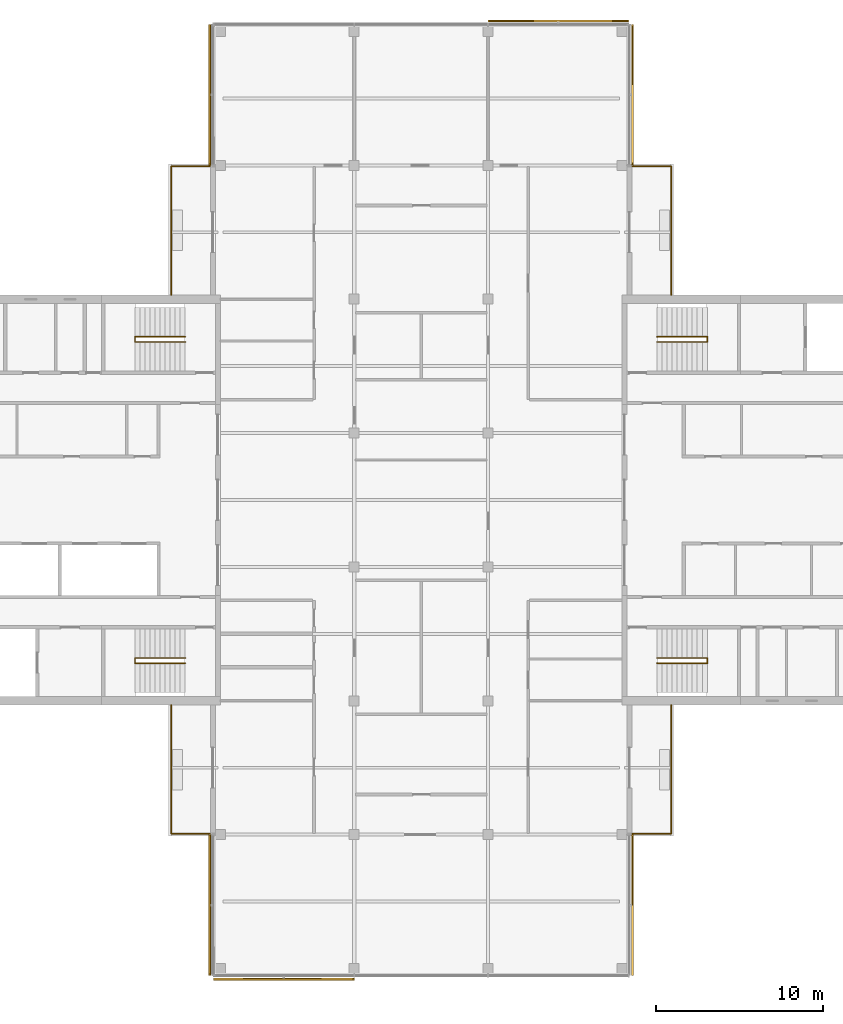
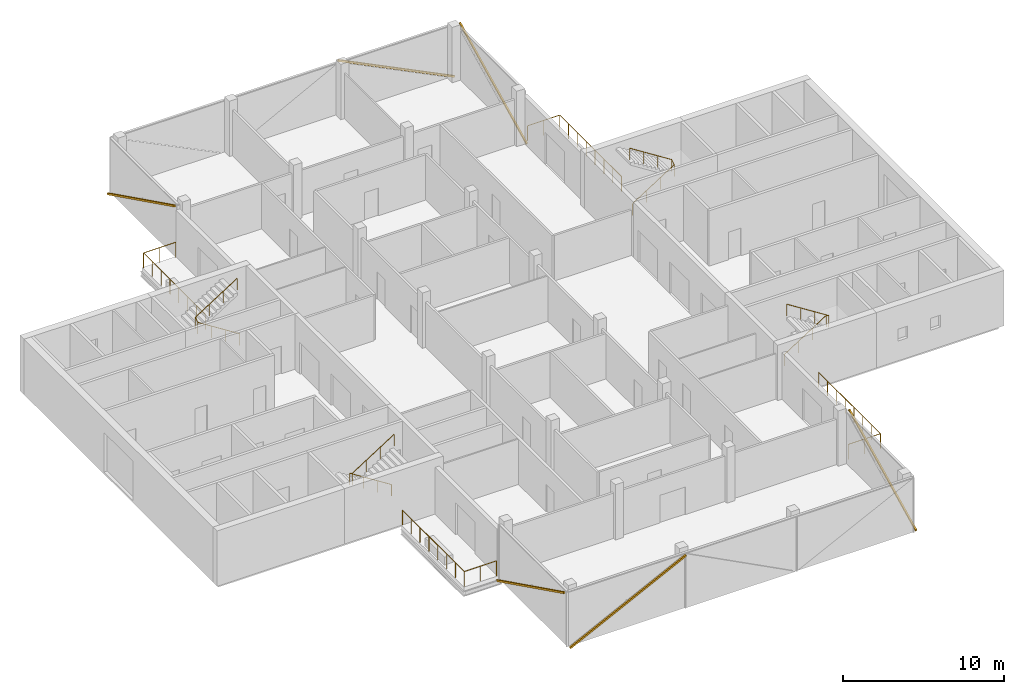
# One storey, part 12 of 12: 8 railings, 6 shading devices, 6 elements without a shape of their own.
"""IFC4 building model written with IfcOpenShell, lengths in metres."""

from ifc_helpers import new_model, si_unit, direction, frame, origin, origin_2d, place, context, subcontext, project, spatial, rectangle, circle, extrude, material, material_profile, profile_set, type_object, element, aggregate, save


model = new_model("IFC4")

# Units and contexts
model_context = context("Model", 3, precision=1e-05, world=origin(), true_north=direction((0.0, 1.0)))
body_context = subcontext(model_context, "Body", "Model", "MODEL_VIEW")
ifc_project = project(units=[si_unit("LENGTHUNIT", "METRE"), si_unit("AREAUNIT", "SQUARE_METRE"), si_unit("VOLUMEUNIT", "CUBIC_METRE"), si_unit("PLANEANGLEUNIT", "RADIAN"), si_unit("MASSUNIT", "GRAM", prefix="KILO")], contexts=[model_context])

# Site, building, storey
site_placement = place(None, origin())
site = spatial("IfcSite", under=ifc_project, at=site_placement, CompositionType="ELEMENT")
building_placement = place(site_placement, origin())
building = spatial("IfcBuilding", under=site, at=building_placement, Name="Crosswind Convention Tower", CompositionType="ELEMENT")
storey_placement = place(building_placement, frame((0.0, 0.0, 311.300048828125)))
storey = spatial("IfcBuildingStorey", under=building, at=storey_placement, Name="L67", CompositionType="ELEMENT", Elevation=311.300048828125)

# Railings
ifc_material_1 = material(Name="Steel and laminated glass balustrade", Category="steel")
railing_type_1 = type_object("IfcRailingType", Name="BALCONY BALUSTRADE 1150", PredefinedType="BALUSTRADE", material=ifc_material_1)
railing_1_placement = place(storey_placement, frame((139.93994140625, 112.25, 0.0)))
element("IfcRailing", 1, at=railing_1_placement, inside=storey, type_object=railing_type_1, Name="R11 winter garden balustrade L67 N-E.1-1", PredefinedType="BALUSTRADE", context=body_context, shape_type="SweptSolid", body=[
    extrude(circle(Radius=0.02392578125, at=origin_2d()), frame((0.0, 0.0, 1.1259765625), z_axis=(0.0, 1.0, 0.0), x_axis=(-1.0, 0.0, 0.0)), (0.0, 0.0, 1.0), 7.68994140625),
    extrude(circle(Radius=0.02392578125, at=origin_2d()), frame((0.0, 7.68994140625, 1.1259765625), z_axis=(-1.0, 0.0, 0.0), x_axis=(0.0, -1.0, 0.0)), (0.0, 0.0, 1.0), 2.31884765625),
    extrude(circle(Radius=0.02099609375, at=origin_2d()), origin(), (0.0, 0.0, 1.0), 1.101806640625),
    extrude(circle(Radius=0.02099609375, at=origin_2d()), frame((0.0, 1.0986328125, 0.0)), (0.0, 0.0, 1.0), 1.101806640625),
    extrude(circle(Radius=0.02099609375, at=origin_2d()), frame((0.0, 2.197021484375, 0.0)), (0.0, 0.0, 1.0), 1.101806640625),
    extrude(circle(Radius=0.02099609375, at=origin_2d()), frame((0.0, 3.295654296875, 0.0)), (0.0, 0.0, 1.0), 1.101806640625),
    extrude(circle(Radius=0.02099609375, at=origin_2d()), frame((0.0, 4.394287109375, 0.0)), (0.0, 0.0, 1.0), 1.101806640625),
    extrude(circle(Radius=0.02099609375, at=origin_2d()), frame((0.0, 5.492919921875, 0.0)), (0.0, 0.0, 1.0), 1.101806640625),
    extrude(circle(Radius=0.02099609375, at=origin_2d()), frame((0.0, 6.59130859375, 0.0)), (0.0, 0.0, 1.0), 1.101806640625),
    extrude(circle(Radius=0.02099609375, at=origin_2d()), frame((0.0, 7.68994140625, 0.0)), (0.0, 0.0, 1.0), 1.101806640625),
    extrude(circle(Radius=0.02099609375, at=origin_2d()), frame((-1.159423828125, 7.68994140625, 0.0)), (0.0, 0.0, 1.0), 1.101806640625),
    extrude(circle(Radius=0.02099609375, at=origin_2d()), frame((-2.31884765625, 7.68994140625, 0.0)), (0.0, 0.0, 1.0), 1.101806640625),
])
railing_2_placement = place(storey_placement, frame((110.06005859375, 112.25, 0.0)))
element("IfcRailing", 2, at=railing_2_placement, inside=storey, type_object=railing_type_1, Name="R11 winter garden balustrade L67 N-W.1-2", PredefinedType="BALUSTRADE", context=body_context, shape_type="SweptSolid", body=[
    extrude(circle(Radius=0.02392578125, at=origin_2d()), frame((0.0, 0.0, 1.1259765625), z_axis=(0.0, 1.0, 0.0), x_axis=(-1.0, 0.0, 0.0)), (0.0, 0.0, 1.0), 7.68994140625),
    extrude(circle(Radius=0.02392578125, at=origin_2d()), frame((0.0, 7.68994140625, 1.1259765625), z_axis=(1.0, 0.0, 0.0), x_axis=(0.0, 1.0, 0.0)), (0.0, 0.0, 1.0), 2.31884765625),
    extrude(circle(Radius=0.02099609375, at=origin_2d()), origin(), (0.0, 0.0, 1.0), 1.101806640625),
    extrude(circle(Radius=0.02099609375, at=origin_2d()), frame((0.0, 1.0986328125, 0.0)), (0.0, 0.0, 1.0), 1.101806640625),
    extrude(circle(Radius=0.02099609375, at=origin_2d()), frame((0.0, 2.197021484375, 0.0)), (0.0, 0.0, 1.0), 1.101806640625),
    extrude(circle(Radius=0.02099609375, at=origin_2d()), frame((0.0, 3.295654296875, 0.0)), (0.0, 0.0, 1.0), 1.101806640625),
    extrude(circle(Radius=0.02099609375, at=origin_2d()), frame((0.0, 4.394287109375, 0.0)), (0.0, 0.0, 1.0), 1.101806640625),
    extrude(circle(Radius=0.02099609375, at=origin_2d()), frame((0.0, 5.492919921875, 0.0)), (0.0, 0.0, 1.0), 1.101806640625),
    extrude(circle(Radius=0.02099609375, at=origin_2d()), frame((0.0, 6.59130859375, 0.0)), (0.0, 0.0, 1.0), 1.101806640625),
    extrude(circle(Radius=0.02099609375, at=origin_2d()), frame((0.0, 7.68994140625, 0.0)), (0.0, 0.0, 1.0), 1.101806640625),
    extrude(circle(Radius=0.02099609375, at=origin_2d()), frame((1.159423828125, 7.68994140625, 0.0)), (0.0, 0.0, 1.0), 1.101806640625),
    extrude(circle(Radius=0.02099609375, at=origin_2d()), frame((2.31884765625, 7.68994140625, 0.0)), (0.0, 0.0, 1.0), 1.101806640625),
])
railing_3_placement = place(storey_placement, frame((110.06005859375, 87.75, 0.0)))
element("IfcRailing", 3, at=railing_3_placement, inside=storey, type_object=railing_type_1, Name="R11 winter garden balustrade L67 S-W.1-1", PredefinedType="BALUSTRADE", context=body_context, shape_type="SweptSolid", body=[
    extrude(circle(Radius=0.02392578125, at=origin_2d()), frame((0.0, 0.0, 1.1259765625), z_axis=(0.0, -1.0, 0.0), x_axis=(1.0, 0.0, 0.0)), (0.0, 0.0, 1.0), 7.68994140625),
    extrude(circle(Radius=0.02392578125, at=origin_2d()), frame((0.0, -7.68994140625, 1.1259765625), z_axis=(1.0, 0.0, 0.0), x_axis=(0.0, 1.0, 0.0)), (0.0, 0.0, 1.0), 2.31884765625),
    extrude(circle(Radius=0.02099609375, at=origin_2d()), origin(), (0.0, 0.0, 1.0), 1.101806640625),
    extrude(circle(Radius=0.02099609375, at=origin_2d()), frame((0.0, -1.0986328125, 0.0)), (0.0, 0.0, 1.0), 1.101806640625),
    extrude(circle(Radius=0.02099609375, at=origin_2d()), frame((0.0, -2.197021484375, 0.0)), (0.0, 0.0, 1.0), 1.101806640625),
    extrude(circle(Radius=0.02099609375, at=origin_2d()), frame((0.0, -3.295654296875, 0.0)), (0.0, 0.0, 1.0), 1.101806640625),
    extrude(circle(Radius=0.02099609375, at=origin_2d()), frame((0.0, -4.394287109375, 0.0)), (0.0, 0.0, 1.0), 1.101806640625),
    extrude(circle(Radius=0.02099609375, at=origin_2d()), frame((0.0, -5.492919921875, 0.0)), (0.0, 0.0, 1.0), 1.101806640625),
    extrude(circle(Radius=0.02099609375, at=origin_2d()), frame((0.0, -6.59130859375, 0.0)), (0.0, 0.0, 1.0), 1.101806640625),
    extrude(circle(Radius=0.02099609375, at=origin_2d()), frame((0.0, -7.68994140625, 0.0)), (0.0, 0.0, 1.0), 1.101806640625),
    extrude(circle(Radius=0.02099609375, at=origin_2d()), frame((1.159423828125, -7.68994140625, 0.0)), (0.0, 0.0, 1.0), 1.101806640625),
    extrude(circle(Radius=0.02099609375, at=origin_2d()), frame((2.31884765625, -7.68994140625, 0.0)), (0.0, 0.0, 1.0), 1.101806640625),
])
railing_4_placement = place(storey_placement, frame((139.93994140625, 87.75, 0.0)))
element("IfcRailing", 4, at=railing_4_placement, inside=storey, type_object=railing_type_1, Name="R11 winter garden balustrade L67 S-E.1-2", PredefinedType="BALUSTRADE", context=body_context, shape_type="SweptSolid", body=[
    extrude(circle(Radius=0.02392578125, at=origin_2d()), frame((0.0, 0.0, 1.1259765625), z_axis=(0.0, -1.0, 0.0), x_axis=(1.0, 0.0, 0.0)), (0.0, 0.0, 1.0), 7.68994140625),
    extrude(circle(Radius=0.02392578125, at=origin_2d()), frame((0.0, -7.68994140625, 1.1259765625), z_axis=(-1.0, 0.0, 0.0), x_axis=(0.0, -1.0, 0.0)), (0.0, 0.0, 1.0), 2.31884765625),
    extrude(circle(Radius=0.02099609375, at=origin_2d()), origin(), (0.0, 0.0, 1.0), 1.101806640625),
    extrude(circle(Radius=0.02099609375, at=origin_2d()), frame((0.0, -1.0986328125, 0.0)), (0.0, 0.0, 1.0), 1.101806640625),
    extrude(circle(Radius=0.02099609375, at=origin_2d()), frame((0.0, -2.197021484375, 0.0)), (0.0, 0.0, 1.0), 1.101806640625),
    extrude(circle(Radius=0.02099609375, at=origin_2d()), frame((0.0, -3.295654296875, 0.0)), (0.0, 0.0, 1.0), 1.101806640625),
    extrude(circle(Radius=0.02099609375, at=origin_2d()), frame((0.0, -4.394287109375, 0.0)), (0.0, 0.0, 1.0), 1.101806640625),
    extrude(circle(Radius=0.02099609375, at=origin_2d()), frame((0.0, -5.492919921875, 0.0)), (0.0, 0.0, 1.0), 1.101806640625),
    extrude(circle(Radius=0.02099609375, at=origin_2d()), frame((0.0, -6.59130859375, 0.0)), (0.0, 0.0, 1.0), 1.101806640625),
    extrude(circle(Radius=0.02099609375, at=origin_2d()), frame((0.0, -7.68994140625, 0.0)), (0.0, 0.0, 1.0), 1.101806640625),
    extrude(circle(Radius=0.02099609375, at=origin_2d()), frame((-1.159423828125, -7.68994140625, 0.0)), (0.0, 0.0, 1.0), 1.101806640625),
    extrude(circle(Radius=0.02099609375, at=origin_2d()), frame((-2.31884765625, -7.68994140625, 0.0)), (0.0, 0.0, 1.0), 1.101806640625),
])
ifc_material_2 = material(Name="Stainless steel", Category="steel")
railing_type_2 = type_object("IfcRailingType", Name="Stair handrail 900", PredefinedType="HANDRAIL", material=ifc_material_2)
railing_5_placement = place(storey_placement, frame((139.10009765625, 109.43994140625, 0.19091796875)))
element("IfcRailing", 5, at=railing_5_placement, inside=storey, type_object=railing_type_2, Name="Stair ST1 handrail L67", PredefinedType="HANDRAIL", context=body_context, shape_type="SweptSolid", body=[
    extrude(circle(Radius=0.02392578125, at=origin_2d()), frame((0.0, 0.0, 0.8759765625), z_axis=(0.843681277094, 0.0, 0.536844393359), x_axis=(0.0, 1.0, 0.0)), (0.0, 0.0, 1.0), 3.555908203125),
    extrude(circle(Radius=0.02392578125, at=origin_2d()), frame((3.0, 0.0, 2.78466796875), z_axis=(0.0, 0.858819504967, 0.512278301208), x_axis=(-1.0, 0.0, 0.0)), (0.0, 0.0, 1.0), 0.372802734375),
    extrude(circle(Radius=0.02392578125, at=origin_2d()), frame((3.0, 0.320068359375, 2.9755859375), z_axis=(-0.843650179428, 0.0, 0.536893261973), x_axis=(0.0, -1.0, 0.0)), (0.0, 0.0, 1.0), 3.555908203125),
    extrude(circle(Radius=0.02099609375, at=origin_2d()), origin(), (0.0, 0.0, 1.0), 0.851806640625),
    extrude(circle(Radius=0.02099609375, at=origin_2d()), frame((1.0, 0.0, 0.63623046875)), (0.0, 0.0, 1.0), 0.851806640625),
    extrude(circle(Radius=0.02099609375, at=origin_2d()), frame((2.0, 0.0, 1.272705078125)), (0.0, 0.0, 1.0), 0.851806640625),
    extrude(circle(Radius=0.02099609375, at=origin_2d()), frame((3.0, 0.0, 1.908935546875)), (0.0, 0.0, 1.0), 0.851806640625),
    extrude(circle(Radius=0.02099609375, at=origin_2d()), frame((3.0, 0.320068359375, 2.099853515625)), (0.0, 0.0, 1.0), 0.851806640625),
    extrude(circle(Radius=0.02099609375, at=origin_2d()), frame((2.0, 0.320068359375, 2.736328125)), (0.0, 0.0, 1.0), 0.851806640625),
    extrude(circle(Radius=0.02099609375, at=origin_2d()), frame((1.0, 0.320068359375, 3.37255859375)), (0.0, 0.0, 1.0), 0.851806640625),
    extrude(circle(Radius=0.02099609375, at=origin_2d()), frame((0.0, 0.320068359375, 4.009033203125)), (0.0, 0.0, 1.0), 0.851806640625),
])
railing_6_placement = place(storey_placement, frame((139.10009765625, 90.56005859375, 0.19091796875)))
element("IfcRailing", 6, at=railing_6_placement, inside=storey, type_object=railing_type_2, Name="Stair ST2 handrail L67", PredefinedType="HANDRAIL", context=body_context, shape_type="SweptSolid", body=[
    extrude(circle(Radius=0.02392578125, at=origin_2d()), frame((0.0, 0.0, 0.8759765625), z_axis=(0.843681277094, 0.0, 0.536844393359), x_axis=(0.0, 1.0, 0.0)), (0.0, 0.0, 1.0), 3.555908203125),
    extrude(circle(Radius=0.02392578125, at=origin_2d()), frame((3.0, 0.0, 2.78466796875), z_axis=(0.0, -0.858819504967, 0.512278301208), x_axis=(1.0, 0.0, 0.0)), (0.0, 0.0, 1.0), 0.372802734375),
    extrude(circle(Radius=0.02392578125, at=origin_2d()), frame((3.0, -0.320068359375, 2.9755859375), z_axis=(-0.843650179428, 0.0, 0.536893261973), x_axis=(0.0, -1.0, 0.0)), (0.0, 0.0, 1.0), 3.555908203125),
    extrude(circle(Radius=0.02099609375, at=origin_2d()), origin(), (0.0, 0.0, 1.0), 0.851806640625),
    extrude(circle(Radius=0.02099609375, at=origin_2d()), frame((1.0, 0.0, 0.63623046875)), (0.0, 0.0, 1.0), 0.851806640625),
    extrude(circle(Radius=0.02099609375, at=origin_2d()), frame((2.0, 0.0, 1.272705078125)), (0.0, 0.0, 1.0), 0.851806640625),
    extrude(circle(Radius=0.02099609375, at=origin_2d()), frame((3.0, 0.0, 1.908935546875)), (0.0, 0.0, 1.0), 0.851806640625),
    extrude(circle(Radius=0.02099609375, at=origin_2d()), frame((3.0, -0.320068359375, 2.099853515625)), (0.0, 0.0, 1.0), 0.851806640625),
    extrude(circle(Radius=0.02099609375, at=origin_2d()), frame((2.0, -0.320068359375, 2.736328125)), (0.0, 0.0, 1.0), 0.851806640625),
    extrude(circle(Radius=0.02099609375, at=origin_2d()), frame((1.0, -0.320068359375, 3.37255859375)), (0.0, 0.0, 1.0), 0.851806640625),
    extrude(circle(Radius=0.02099609375, at=origin_2d()), frame((0.0, -0.320068359375, 4.009033203125)), (0.0, 0.0, 1.0), 0.851806640625),
])
railing_7_placement = place(storey_placement, frame((110.89990234375, 90.56005859375, 0.19091796875)))
element("IfcRailing", 7, at=railing_7_placement, inside=storey, type_object=railing_type_2, Name="Stair ST3 handrail L67", PredefinedType="HANDRAIL", context=body_context, shape_type="SweptSolid", body=[
    extrude(circle(Radius=0.02392578125, at=origin_2d()), frame((0.0, 0.0, 0.8759765625), z_axis=(-0.843681277094, 0.0, 0.536844393359), x_axis=(0.0, -1.0, 0.0)), (0.0, 0.0, 1.0), 3.555908203125),
    extrude(circle(Radius=0.02392578125, at=origin_2d()), frame((-3.0, 0.0, 2.78466796875), z_axis=(0.0, -0.858819504967, 0.512278301208), x_axis=(1.0, 0.0, 0.0)), (0.0, 0.0, 1.0), 0.372802734375),
    extrude(circle(Radius=0.02392578125, at=origin_2d()), frame((-3.0, -0.320068359375, 2.9755859375), z_axis=(0.843650179428, 0.0, 0.536893261973), x_axis=(0.0, 1.0, 0.0)), (0.0, 0.0, 1.0), 3.555908203125),
    extrude(circle(Radius=0.02099609375, at=origin_2d()), origin(), (0.0, 0.0, 1.0), 0.851806640625),
    extrude(circle(Radius=0.02099609375, at=origin_2d()), frame((-1.0, 0.0, 0.63623046875)), (0.0, 0.0, 1.0), 0.851806640625),
    extrude(circle(Radius=0.02099609375, at=origin_2d()), frame((-2.0, 0.0, 1.272705078125)), (0.0, 0.0, 1.0), 0.851806640625),
    extrude(circle(Radius=0.02099609375, at=origin_2d()), frame((-3.0, 0.0, 1.908935546875)), (0.0, 0.0, 1.0), 0.851806640625),
    extrude(circle(Radius=0.02099609375, at=origin_2d()), frame((-3.0, -0.320068359375, 2.099853515625)), (0.0, 0.0, 1.0), 0.851806640625),
    extrude(circle(Radius=0.02099609375, at=origin_2d()), frame((-2.0, -0.320068359375, 2.736328125)), (0.0, 0.0, 1.0), 0.851806640625),
    extrude(circle(Radius=0.02099609375, at=origin_2d()), frame((-1.0, -0.320068359375, 3.37255859375)), (0.0, 0.0, 1.0), 0.851806640625),
    extrude(circle(Radius=0.02099609375, at=origin_2d()), frame((0.0, -0.320068359375, 4.009033203125)), (0.0, 0.0, 1.0), 0.851806640625),
])
railing_8_placement = place(storey_placement, frame((110.89990234375, 109.43994140625, 0.19091796875)))
element("IfcRailing", 8, at=railing_8_placement, inside=storey, type_object=railing_type_2, Name="Stair ST4 handrail L67", PredefinedType="HANDRAIL", context=body_context, shape_type="SweptSolid", body=[
    extrude(circle(Radius=0.02392578125, at=origin_2d()), frame((0.0, 0.0, 0.8759765625), z_axis=(-0.843681277094, 0.0, 0.536844393359), x_axis=(0.0, -1.0, 0.0)), (0.0, 0.0, 1.0), 3.555908203125),
    extrude(circle(Radius=0.02392578125, at=origin_2d()), frame((-3.0, 0.0, 2.78466796875), z_axis=(0.0, 0.858819504967, 0.512278301208), x_axis=(-1.0, 0.0, 0.0)), (0.0, 0.0, 1.0), 0.372802734375),
    extrude(circle(Radius=0.02392578125, at=origin_2d()), frame((-3.0, 0.320068359375, 2.9755859375), z_axis=(0.843650179428, 0.0, 0.536893261973), x_axis=(0.0, 1.0, 0.0)), (0.0, 0.0, 1.0), 3.555908203125),
    extrude(circle(Radius=0.02099609375, at=origin_2d()), origin(), (0.0, 0.0, 1.0), 0.851806640625),
    extrude(circle(Radius=0.02099609375, at=origin_2d()), frame((-1.0, 0.0, 0.63623046875)), (0.0, 0.0, 1.0), 0.851806640625),
    extrude(circle(Radius=0.02099609375, at=origin_2d()), frame((-2.0, 0.0, 1.272705078125)), (0.0, 0.0, 1.0), 0.851806640625),
    extrude(circle(Radius=0.02099609375, at=origin_2d()), frame((-3.0, 0.0, 1.908935546875)), (0.0, 0.0, 1.0), 0.851806640625),
    extrude(circle(Radius=0.02099609375, at=origin_2d()), frame((-3.0, 0.320068359375, 2.099853515625)), (0.0, 0.0, 1.0), 0.851806640625),
    extrude(circle(Radius=0.02099609375, at=origin_2d()), frame((-2.0, 0.320068359375, 2.736328125)), (0.0, 0.0, 1.0), 0.851806640625),
    extrude(circle(Radius=0.02099609375, at=origin_2d()), frame((-1.0, 0.320068359375, 3.37255859375)), (0.0, 0.0, 1.0), 0.851806640625),
    extrude(circle(Radius=0.02099609375, at=origin_2d()), frame((0.0, 0.320068359375, 4.009033203125)), (0.0, 0.0, 1.0), 0.851806640625),
])

# Curtain wall, shading device
ifc_material_3 = material(Name="Aluminium unitised curtain wall", Category="aluminium")
curtain_wall_type = type_object("IfcCurtainWallType", Name="OFFICE UNITISED WALL 220", PredefinedType="USERDEFINED", material=ifc_material_3)
curtain_wall_1_placement = place(storey_placement, origin())
curtain_wall_1 = element("IfcCurtainWall", 9, at=curtain_wall_1_placement, inside=storey, type_object=curtain_wall_type, Name="CW3 L67 N-E 1", ObjectType="UNITISED", PredefinedType="USERDEFINED")
ifc_material_4 = material(Name="Extruded terracotta", Category="masonry")
ifc_material_profile = material_profile(ifc_material_4, rectangle(XDim=0.110107421875, YDim=0.1298828125, at=origin_2d()), Name="TC 110X130")
ifc_profile_set = profile_set([ifc_material_profile], Name="Extruded terracotta")
shading_device_type = type_object("IfcShadingDeviceType", Name="TERRACOTTA BAGUETTE 130X110", PredefinedType="USERDEFINED", material=ifc_profile_set)
shading_device_1_placement = place(storey_placement, frame((137.631103515625, 120.034912109375, -0.300048828125), z_axis=(0.0, 0.896146662141, 0.443757997037), x_axis=(-1.0, 0.0, 0.0)))
shading_device_1 = element("IfcShadingDevice", 10, at=shading_device_1_placement, type_object=shading_device_type, Name="CW3 terracotta baguette 1", ObjectType="BAGUETTE", PredefinedType="USERDEFINED", context=body_context, shape_type="SweptSolid", body=[
    extrude(rectangle(XDim=0.110107421875, YDim=0.1298828125, at=origin_2d()), origin(), (0.0, 0.0, 1.0), 9.306640625),
])
aggregate(curtain_wall_1, [shading_device_1])

curtain_wall_2_placement = place(storey_placement, origin())
curtain_wall_2 = element("IfcCurtainWall", 11, at=curtain_wall_2_placement, inside=storey, type_object=curtain_wall_type, Name="CW3 L67 N-TIP 1", ObjectType="UNITISED", PredefinedType="USERDEFINED")
shading_device_2_placement = place(storey_placement, frame((137.375, 128.631103515625, -0.300048828125), z_axis=(-0.896146662141, 0.0, 0.443757997037), x_axis=(0.0, -1.0, 0.0)))
shading_device_2 = element("IfcShadingDevice", 12, at=shading_device_2_placement, type_object=shading_device_type, Name="CW3 terracotta baguette 1", ObjectType="BAGUETTE", PredefinedType="USERDEFINED", context=body_context, shape_type="SweptSolid", body=[
    extrude(rectangle(XDim=0.110107421875, YDim=0.1298828125, at=origin_2d()), origin(), (0.0, 0.0, 1.0), 9.306640625),
])
aggregate(curtain_wall_2, [shading_device_2])

curtain_wall_3_placement = place(storey_placement, origin())
curtain_wall_3 = element("IfcCurtainWall", 13, at=curtain_wall_3_placement, inside=storey, type_object=curtain_wall_type, Name="CW3 L67 N-W 1", ObjectType="UNITISED", PredefinedType="USERDEFINED")
shading_device_3_placement = place(storey_placement, frame((112.368896484375, 128.375, -0.300048828125), z_axis=(0.0, -0.896146662141, 0.443757997037), x_axis=(1.0, 0.0, 0.0)))
shading_device_3 = element("IfcShadingDevice", 14, at=shading_device_3_placement, type_object=shading_device_type, Name="CW3 terracotta baguette 1", ObjectType="BAGUETTE", PredefinedType="USERDEFINED", context=body_context, shape_type="SweptSolid", body=[
    extrude(rectangle(XDim=0.110107421875, YDim=0.1298828125, at=origin_2d()), origin(), (0.0, 0.0, 1.0), 9.306640625),
])
aggregate(curtain_wall_3, [shading_device_3])

curtain_wall_4_placement = place(storey_placement, origin())
curtain_wall_4 = element("IfcCurtainWall", 15, at=curtain_wall_4_placement, inside=storey, type_object=curtain_wall_type, Name="CW3 L67 S-W 1", ObjectType="UNITISED", PredefinedType="USERDEFINED")
shading_device_4_placement = place(storey_placement, frame((112.368896484375, 79.965087890625, -0.300048828125), z_axis=(0.0, -0.896146662141, 0.443757997037), x_axis=(1.0, 0.0, 0.0)))
shading_device_4 = element("IfcShadingDevice", 16, at=shading_device_4_placement, type_object=shading_device_type, Name="CW3 terracotta baguette 1", ObjectType="BAGUETTE", PredefinedType="USERDEFINED", context=body_context, shape_type="SweptSolid", body=[
    extrude(rectangle(XDim=0.110107421875, YDim=0.1298828125, at=origin_2d()), origin(), (0.0, 0.0, 1.0), 9.306640625),
])
aggregate(curtain_wall_4, [shading_device_4])

curtain_wall_5_placement = place(storey_placement, origin())
curtain_wall_5 = element("IfcCurtainWall", 17, at=curtain_wall_5_placement, inside=storey, type_object=curtain_wall_type, Name="CW3 L67 S-TIP 1", ObjectType="UNITISED", PredefinedType="USERDEFINED")
shading_device_5_placement = place(storey_placement, frame((112.625, 71.368896484375, -0.300048828125), z_axis=(0.896146662141, 0.0, 0.443757997037), x_axis=(0.0, 1.0, 0.0)))
shading_device_5 = element("IfcShadingDevice", 18, at=shading_device_5_placement, type_object=shading_device_type, Name="CW3 terracotta baguette 1", ObjectType="BAGUETTE", PredefinedType="USERDEFINED", context=body_context, shape_type="SweptSolid", body=[
    extrude(rectangle(XDim=0.110107421875, YDim=0.1298828125, at=origin_2d()), origin(), (0.0, 0.0, 1.0), 9.306640625),
])
aggregate(curtain_wall_5, [shading_device_5])

curtain_wall_6_placement = place(storey_placement, origin())
curtain_wall_6 = element("IfcCurtainWall", 19, at=curtain_wall_6_placement, inside=storey, type_object=curtain_wall_type, Name="CW3 L67 S-E 1", ObjectType="UNITISED", PredefinedType="USERDEFINED")
shading_device_6_placement = place(storey_placement, frame((137.631103515625, 71.625, -0.300048828125), z_axis=(0.0, 0.896146662141, 0.443757997037), x_axis=(-1.0, 0.0, 0.0)))
shading_device_6 = element("IfcShadingDevice", 20, at=shading_device_6_placement, type_object=shading_device_type, Name="CW3 terracotta baguette 1", ObjectType="BAGUETTE", PredefinedType="USERDEFINED", context=body_context, shape_type="SweptSolid", body=[
    extrude(rectangle(XDim=0.110107421875, YDim=0.1298828125, at=origin_2d()), origin(), (0.0, 0.0, 1.0), 9.306640625),
])
aggregate(curtain_wall_6, [shading_device_6])

save(model, "model.ifc")
